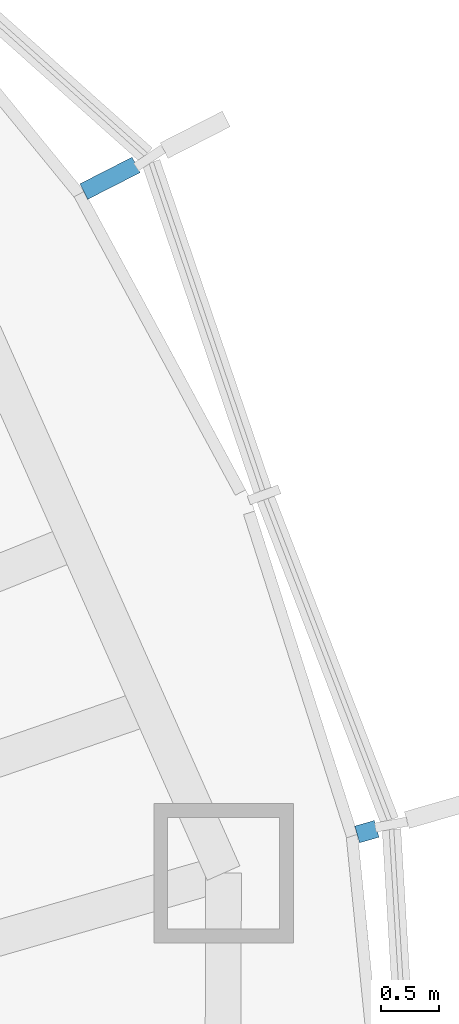
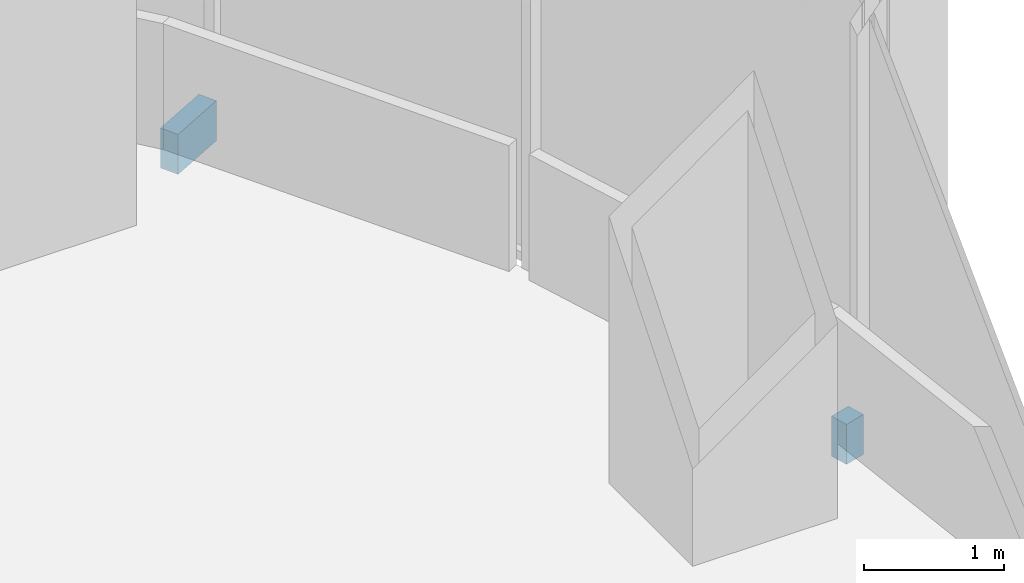
# One storey, part 15 of 18: 2 discrete accessories.
"""IFC4 building model written with IfcOpenShell, lengths in metres."""

from ifc_helpers import new_model, si_unit, direction, frame, origin, origin_2d, place, context, subcontext, project, spatial, rectangle, extrude, material, type_object, element, save


model = new_model("IFC4")

# Units and contexts
model_context = context("Model", 3, precision=1e-05, world=origin(), true_north=direction((0.0, 1.0)))
body_context = subcontext(model_context, "Body", "Model", "MODEL_VIEW")
ifc_project = project(units=[si_unit("LENGTHUNIT", "METRE"), si_unit("AREAUNIT", "SQUARE_METRE"), si_unit("VOLUMEUNIT", "CUBIC_METRE"), si_unit("PLANEANGLEUNIT", "RADIAN"), si_unit("MASSUNIT", "GRAM", prefix="KILO")], contexts=[model_context])

# Site, building, storey
site_placement = place(None, origin())
site = spatial("IfcSite", under=ifc_project, at=site_placement, CompositionType="ELEMENT")
building_placement = place(site_placement, origin())
building = spatial("IfcBuilding", under=site, at=building_placement, Name="Ghaith Harvest Tower", CompositionType="ELEMENT")
storey_placement = place(building_placement, frame((0.0, 0.0, 184.800048828125)))
storey = spatial("IfcBuildingStorey", under=building, at=storey_placement, Name="L40", CompositionType="ELEMENT", Elevation=184.800048828125)

# Discrete accessories
ifc_material_1 = material(Name="Stainless steel grade 1.4401", Category="steel")
discrete_accessory_type_1 = type_object("IfcDiscreteAccessoryType", Name="CURTAIN WALL BRACKET 175", PredefinedType="BRACKET", material=ifc_material_1)
discrete_accessory_1_placement = place(storey_placement, frame((30.518310546875, 8.8203125, -0.25), z_axis=(0.0, 0.0, 1.0), x_axis=(0.960680349985, 0.277656739792, 0.0)))
element("IfcDiscreteAccessory", 1, at=discrete_accessory_1_placement, inside=storey, type_object=discrete_accessory_type_1, Name="CW-S bracket 1 bay 02 L40", PredefinedType="BRACKET", context=body_context, shape_type="SweptSolid", body=[
    extrude(rectangle(XDim=0.175048828125, YDim=0.14990234375, at=origin_2d()), origin(), (0.0, 0.0, 1.0), 0.35009765625),
])
ifc_material_2 = material(Name="Stainless steel grade 1.4401", Category="steel")
discrete_accessory_type_2 = type_object("IfcDiscreteAccessoryType", Name="CURTAIN WALL BRACKET 505", PredefinedType="BRACKET", material=ifc_material_2)
discrete_accessory_2_placement = place(storey_placement, frame((28.309326171875, 14.43798828125, -0.25), z_axis=(0.0, 0.0, 1.0), x_axis=(0.890830752257, 0.454335306611, 0.0)))
element("IfcDiscreteAccessory", 2, at=discrete_accessory_2_placement, inside=storey, type_object=discrete_accessory_type_2, Name="CW-S bracket 3 bay 02 L40", PredefinedType="BRACKET", context=body_context, shape_type="SweptSolid", body=[
    extrude(rectangle(XDim=0.5048828125, YDim=0.14990234375, at=origin_2d()), origin(), (0.0, 0.0, 1.0), 0.35009765625),
])

save(model, "model.ifc")
